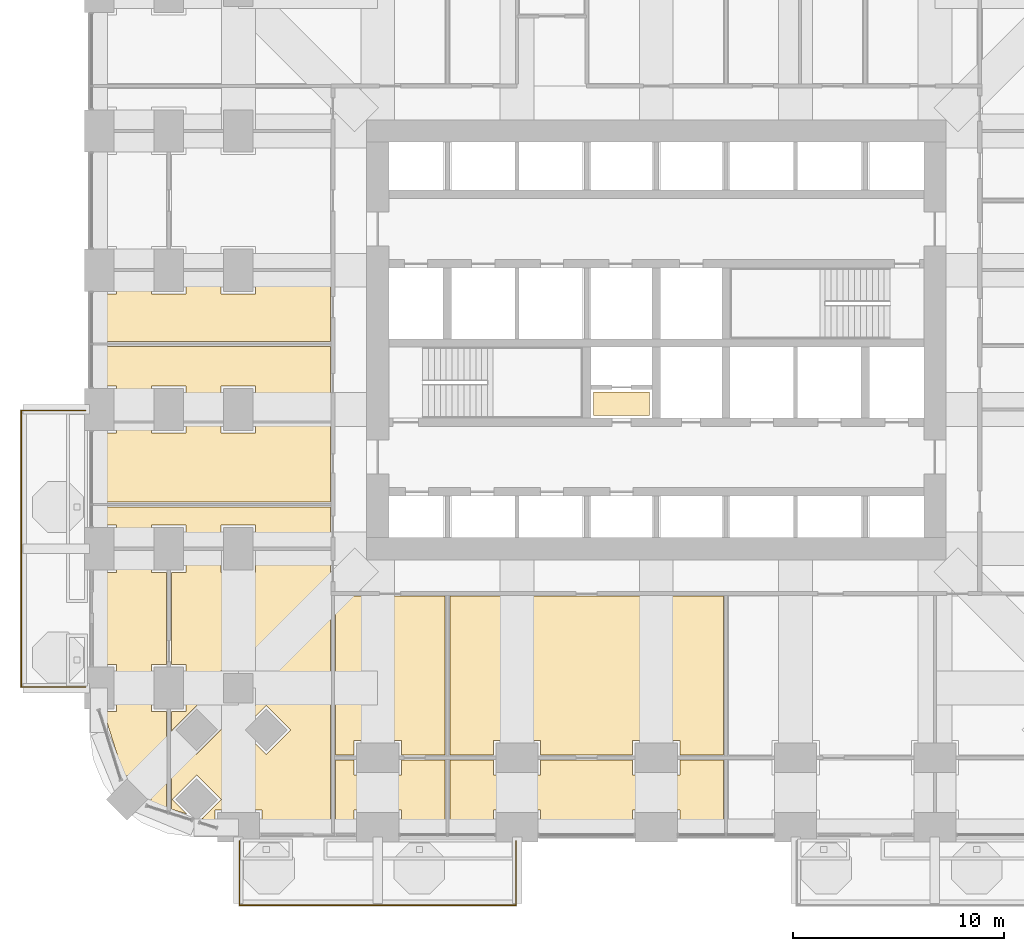
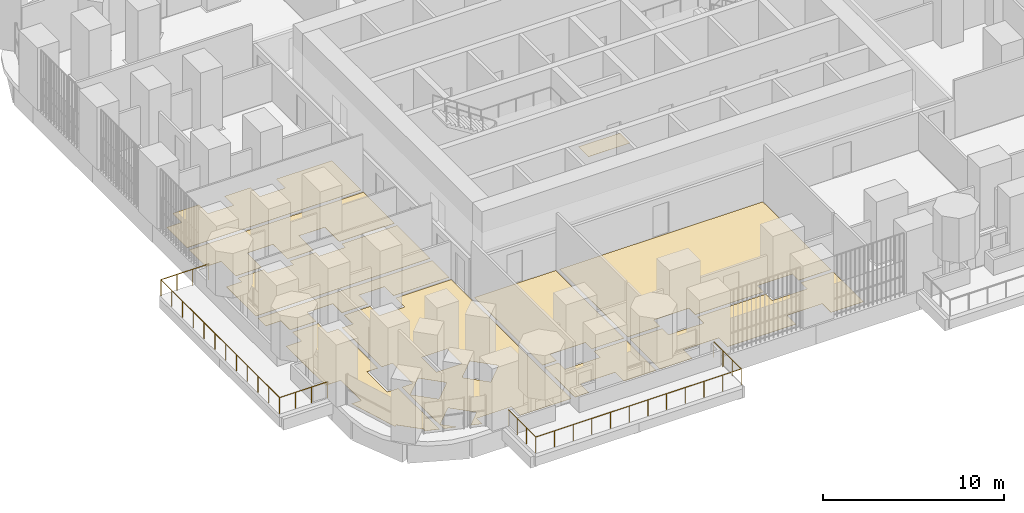
# One storey, part 22 of 27: 11 coverings, 2 railings.
"""IFC4 building model written with IfcOpenShell, lengths in metres."""

from ifc_helpers import new_model, si_unit, direction, frame, origin, place, context, subcontext, project, spatial, polyline, outline, extrude, material, layer, layer_set, type_object, element, save


model = new_model("IFC4")

# Units and contexts
model_context = context("Model", 3, precision=1e-05, world=origin(), true_north=direction((0.0, 1.0)))
body_context = subcontext(model_context, "Body", "Model", "MODEL_VIEW")
ifc_project = project(units=[si_unit("LENGTHUNIT", "METRE"), si_unit("AREAUNIT", "SQUARE_METRE"), si_unit("VOLUMEUNIT", "CUBIC_METRE"), si_unit("PLANEANGLEUNIT", "RADIAN"), si_unit("MASSUNIT", "GRAM", prefix="KILO")], contexts=[model_context])

# Site, building, storey
site_placement = place(None, origin())
site = spatial("IfcSite", under=ifc_project, at=site_placement, CompositionType="ELEMENT")
building_placement = place(site_placement, origin())
building = spatial("IfcBuilding", under=site, at=building_placement, Name="Cobogo Forest Laboratory Tower", CompositionType="ELEMENT")
storey_placement = place(building_placement, frame((0.0, 0.0, 71.699951171875)))
storey = spatial("IfcBuildingStorey", under=building, at=storey_placement, Name="L16", CompositionType="ELEMENT", Elevation=71.699951171875)

# Railings
ifc_material_1 = material(Name="Laminated glass balustrade", Category="glass")
railing_type = type_object("IfcRailingType", Name="BG1 glass balustrade 1100", PredefinedType="GUARDRAIL", material=ifc_material_1)
railing_1_placement = place(storey_placement, frame((6.64990234375, -0.64990234375, 0.0)))
element("IfcRailing", 1, at=railing_1_placement, inside=storey, type_object=railing_type, Name="Balcony balustrade BAL-S1 L16", PredefinedType="GUARDRAIL", context=body_context, shape_type="SweptSolid", body=[
    extrude(outline(polyline([(0.022216796875, 0.00927734375), (0.00927734375, 0.022216796875), (-0.00927734375, 0.022216796875), (-0.022216796875, 0.00927734375), (-0.022216796875, -0.00927734375), (-0.00927734375, -0.022216796875), (0.00927734375, -0.022216796875), (0.022216796875, -0.00927734375), (0.022216796875, 0.00927734375)])), frame((0.0, 0.0, 1.077880859375), z_axis=(0.0, -1.0, 0.0), x_axis=(1.0, 0.0, 0.0)), (0.0, 0.0, 1.0), 3.050048828125),
    extrude(outline(polyline([(0.022216796875, 0.00927734375), (0.00927734375, 0.022216796875), (-0.00927734375, 0.022216796875), (-0.022216796875, 0.00927734375), (-0.022216796875, -0.00927734375), (-0.00927734375, -0.022216796875), (0.00927734375, -0.022216796875), (0.022216796875, -0.00927734375), (0.022216796875, 0.00927734375)])), frame((0.0, -3.050048828125, 1.077880859375), z_axis=(1.0, 0.0, 0.0), x_axis=(0.0, 1.0, 0.0)), (0.0, 0.0, 1.0), 13.10009765625),
    extrude(outline(polyline([(0.022216796875, 0.00927734375), (0.00927734375, 0.022216796875), (-0.00927734375, 0.022216796875), (-0.022216796875, 0.00927734375), (-0.022216796875, -0.00927734375), (-0.00927734375, -0.022216796875), (0.00927734375, -0.022216796875), (0.022216796875, -0.00927734375), (0.022216796875, 0.00927734375)])), frame((13.10009765625, -3.050048828125, 1.077880859375), z_axis=(0.0, 1.0, 0.0), x_axis=(-1.0, 0.0, 0.0)), (0.0, 0.0, 1.0), 3.050048828125),
    extrude(outline(polyline([(0.019287109375, 0.008056640625), (0.008056640625, 0.019287109375), (-0.008056640625, 0.019287109375), (-0.019287109375, 0.008056640625), (-0.019287109375, -0.008056640625), (-0.008056640625, -0.019287109375), (0.008056640625, -0.019287109375), (0.019287109375, -0.008056640625), (0.019287109375, 0.008056640625)])), origin(), (0.0, 0.0, 1.0), 1.077880859375),
    extrude(outline(polyline([(0.019287109375, 0.008056640625), (0.008056640625, 0.019287109375), (-0.008056640625, 0.019287109375), (-0.019287109375, 0.008056640625), (-0.019287109375, -0.008056640625), (-0.008056640625, -0.019287109375), (0.008056640625, -0.019287109375), (0.019287109375, -0.008056640625), (0.019287109375, 0.008056640625)])), frame((0.0, -1.0166015625, 0.0)), (0.0, 0.0, 1.0), 1.077880859375),
    extrude(outline(polyline([(0.019287109375, 0.008056640625), (0.008056640625, 0.019287109375), (-0.008056640625, 0.019287109375), (-0.019287109375, 0.008056640625), (-0.019287109375, -0.008056640625), (-0.008056640625, -0.019287109375), (0.008056640625, -0.019287109375), (0.019287109375, -0.008056640625), (0.019287109375, 0.008056640625)])), frame((0.0, -2.033447265625, 0.0)), (0.0, 0.0, 1.0), 1.077880859375),
    extrude(outline(polyline([(0.019287109375, 0.008056640625), (0.008056640625, 0.019287109375), (-0.008056640625, 0.019287109375), (-0.019287109375, 0.008056640625), (-0.019287109375, -0.008056640625), (-0.008056640625, -0.019287109375), (0.008056640625, -0.019287109375), (0.019287109375, -0.008056640625), (0.019287109375, 0.008056640625)])), frame((0.0, -3.050048828125, 0.0)), (0.0, 0.0, 1.0), 1.077880859375),
    extrude(outline(polyline([(0.019287109375, 0.008056640625), (0.008056640625, 0.019287109375), (-0.008056640625, 0.019287109375), (-0.019287109375, 0.008056640625), (-0.019287109375, -0.008056640625), (-0.008056640625, -0.019287109375), (0.008056640625, -0.019287109375), (0.019287109375, -0.008056640625), (0.019287109375, 0.008056640625)])), frame((1.19091796875, -3.050048828125, 0.0)), (0.0, 0.0, 1.0), 1.077880859375),
    extrude(outline(polyline([(0.019287109375, 0.008056640625), (0.008056640625, 0.019287109375), (-0.008056640625, 0.019287109375), (-0.019287109375, 0.008056640625), (-0.019287109375, -0.008056640625), (-0.008056640625, -0.019287109375), (0.008056640625, -0.019287109375), (0.019287109375, -0.008056640625), (0.019287109375, 0.008056640625)])), frame((2.3818359375, -3.050048828125, 0.0)), (0.0, 0.0, 1.0), 1.077880859375),
    extrude(outline(polyline([(0.019287109375, 0.008056640625), (0.008056640625, 0.019287109375), (-0.008056640625, 0.019287109375), (-0.019287109375, 0.008056640625), (-0.019287109375, -0.008056640625), (-0.008056640625, -0.019287109375), (0.008056640625, -0.019287109375), (0.019287109375, -0.008056640625), (0.019287109375, 0.008056640625)])), frame((3.57275390625, -3.050048828125, 0.0)), (0.0, 0.0, 1.0), 1.077880859375),
    extrude(outline(polyline([(0.019287109375, 0.008056640625), (0.008056640625, 0.019287109375), (-0.008056640625, 0.019287109375), (-0.019287109375, 0.008056640625), (-0.019287109375, -0.008056640625), (-0.008056640625, -0.019287109375), (0.008056640625, -0.019287109375), (0.019287109375, -0.008056640625), (0.019287109375, 0.008056640625)])), frame((4.763671875, -3.050048828125, 0.0)), (0.0, 0.0, 1.0), 1.077880859375),
    extrude(outline(polyline([(0.019287109375, 0.008056640625), (0.008056640625, 0.019287109375), (-0.008056640625, 0.019287109375), (-0.019287109375, 0.008056640625), (-0.019287109375, -0.008056640625), (-0.008056640625, -0.019287109375), (0.008056640625, -0.019287109375), (0.019287109375, -0.008056640625), (0.019287109375, 0.008056640625)])), frame((5.95458984375, -3.050048828125, 0.0)), (0.0, 0.0, 1.0), 1.077880859375),
    extrude(outline(polyline([(0.019287109375, 0.008056640625), (0.008056640625, 0.019287109375), (-0.008056640625, 0.019287109375), (-0.019287109375, 0.008056640625), (-0.019287109375, -0.008056640625), (-0.008056640625, -0.019287109375), (0.008056640625, -0.019287109375), (0.019287109375, -0.008056640625), (0.019287109375, 0.008056640625)])), frame((7.1455078125, -3.050048828125, 0.0)), (0.0, 0.0, 1.0), 1.077880859375),
    extrude(outline(polyline([(0.019287109375, 0.008056640625), (0.008056640625, 0.019287109375), (-0.008056640625, 0.019287109375), (-0.019287109375, 0.008056640625), (-0.019287109375, -0.008056640625), (-0.008056640625, -0.019287109375), (0.008056640625, -0.019287109375), (0.019287109375, -0.008056640625), (0.019287109375, 0.008056640625)])), frame((8.33642578125, -3.050048828125, 0.0)), (0.0, 0.0, 1.0), 1.077880859375),
    extrude(outline(polyline([(0.019287109375, 0.008056640625), (0.008056640625, 0.019287109375), (-0.008056640625, 0.019287109375), (-0.019287109375, 0.008056640625), (-0.019287109375, -0.008056640625), (-0.008056640625, -0.019287109375), (0.008056640625, -0.019287109375), (0.019287109375, -0.008056640625), (0.019287109375, 0.008056640625)])), frame((9.52734375, -3.050048828125, 0.0)), (0.0, 0.0, 1.0), 1.077880859375),
    extrude(outline(polyline([(0.019287109375, 0.008056640625), (0.008056640625, 0.019287109375), (-0.008056640625, 0.019287109375), (-0.019287109375, 0.008056640625), (-0.019287109375, -0.008056640625), (-0.008056640625, -0.019287109375), (0.008056640625, -0.019287109375), (0.019287109375, -0.008056640625), (0.019287109375, 0.008056640625)])), frame((10.71826171875, -3.050048828125, 0.0)), (0.0, 0.0, 1.0), 1.077880859375),
    extrude(outline(polyline([(0.019287109375, 0.008056640625), (0.008056640625, 0.019287109375), (-0.008056640625, 0.019287109375), (-0.019287109375, 0.008056640625), (-0.019287109375, -0.008056640625), (-0.008056640625, -0.019287109375), (0.008056640625, -0.019287109375), (0.019287109375, -0.008056640625), (0.019287109375, 0.008056640625)])), frame((11.9091796875, -3.050048828125, 0.0)), (0.0, 0.0, 1.0), 1.077880859375),
    extrude(outline(polyline([(0.019287109375, 0.008056640625), (0.008056640625, 0.019287109375), (-0.008056640625, 0.019287109375), (-0.019287109375, 0.008056640625), (-0.019287109375, -0.008056640625), (-0.008056640625, -0.019287109375), (0.008056640625, -0.019287109375), (0.019287109375, -0.008056640625), (0.019287109375, 0.008056640625)])), frame((13.10009765625, -3.050048828125, 0.0)), (0.0, 0.0, 1.0), 1.077880859375),
    extrude(outline(polyline([(0.019287109375, 0.008056640625), (0.008056640625, 0.019287109375), (-0.008056640625, 0.019287109375), (-0.019287109375, 0.008056640625), (-0.019287109375, -0.008056640625), (-0.008056640625, -0.019287109375), (0.008056640625, -0.019287109375), (0.019287109375, -0.008056640625), (0.019287109375, 0.008056640625)])), frame((13.10009765625, -2.033447265625, 0.0)), (0.0, 0.0, 1.0), 1.077880859375),
    extrude(outline(polyline([(0.019287109375, 0.008056640625), (0.008056640625, 0.019287109375), (-0.008056640625, 0.019287109375), (-0.019287109375, 0.008056640625), (-0.019287109375, -0.008056640625), (-0.008056640625, -0.019287109375), (0.008056640625, -0.019287109375), (0.019287109375, -0.008056640625), (0.019287109375, 0.008056640625)])), frame((13.10009765625, -1.0166015625, 0.0)), (0.0, 0.0, 1.0), 1.077880859375),
    extrude(outline(polyline([(0.019287109375, 0.008056640625), (0.008056640625, 0.019287109375), (-0.008056640625, 0.019287109375), (-0.019287109375, 0.008056640625), (-0.019287109375, -0.008056640625), (-0.008056640625, -0.019287109375), (0.008056640625, -0.019287109375), (0.019287109375, -0.008056640625), (0.019287109375, 0.008056640625)])), frame((13.10009765625, 0.0, 0.0)), (0.0, 0.0, 1.0), 1.077880859375),
])
railing_2_placement = place(storey_placement, frame((-0.64990234375, 6.64990234375, 0.0)))
element("IfcRailing", 2, at=railing_2_placement, inside=storey, type_object=railing_type, Name="Balcony balustrade BAL-W1 L16", PredefinedType="GUARDRAIL", context=body_context, shape_type="SweptSolid", body=[
    extrude(outline(polyline([(0.022216796875, 0.00927734375), (0.00927734375, 0.022216796875), (-0.00927734375, 0.022216796875), (-0.022216796875, 0.00927734375), (-0.022216796875, -0.00927734375), (-0.00927734375, -0.022216796875), (0.00927734375, -0.022216796875), (0.022216796875, -0.00927734375), (0.022216796875, 0.00927734375)])), frame((0.0, 0.0, 1.077880859375), z_axis=(-1.0, 0.0, 0.0), x_axis=(0.0, -1.0, 0.0)), (0.0, 0.0, 1.0), 3.050048828125),
    extrude(outline(polyline([(0.022216796875, 0.00927734375), (0.00927734375, 0.022216796875), (-0.00927734375, 0.022216796875), (-0.022216796875, 0.00927734375), (-0.022216796875, -0.00927734375), (-0.00927734375, -0.022216796875), (0.00927734375, -0.022216796875), (0.022216796875, -0.00927734375), (0.022216796875, 0.00927734375)])), frame((-3.050048828125, 0.0, 1.077880859375), z_axis=(0.0, 1.0, 0.0), x_axis=(-1.0, 0.0, 0.0)), (0.0, 0.0, 1.0), 13.10009765625),
    extrude(outline(polyline([(0.022216796875, 0.00927734375), (0.00927734375, 0.022216796875), (-0.00927734375, 0.022216796875), (-0.022216796875, 0.00927734375), (-0.022216796875, -0.00927734375), (-0.00927734375, -0.022216796875), (0.00927734375, -0.022216796875), (0.022216796875, -0.00927734375), (0.022216796875, 0.00927734375)])), frame((-3.050048828125, 13.10009765625, 1.077880859375), z_axis=(1.0, 0.0, 0.0), x_axis=(0.0, 1.0, 0.0)), (0.0, 0.0, 1.0), 3.050048828125),
    extrude(outline(polyline([(0.019287109375, 0.008056640625), (0.008056640625, 0.019287109375), (-0.008056640625, 0.019287109375), (-0.019287109375, 0.008056640625), (-0.019287109375, -0.008056640625), (-0.008056640625, -0.019287109375), (0.008056640625, -0.019287109375), (0.019287109375, -0.008056640625), (0.019287109375, 0.008056640625)])), origin(), (0.0, 0.0, 1.0), 1.077880859375),
    extrude(outline(polyline([(0.019287109375, 0.008056640625), (0.008056640625, 0.019287109375), (-0.008056640625, 0.019287109375), (-0.019287109375, 0.008056640625), (-0.019287109375, -0.008056640625), (-0.008056640625, -0.019287109375), (0.008056640625, -0.019287109375), (0.019287109375, -0.008056640625), (0.019287109375, 0.008056640625)])), frame((-1.0166015625, 0.0, 0.0)), (0.0, 0.0, 1.0), 1.077880859375),
    extrude(outline(polyline([(0.019287109375, 0.008056640625), (0.008056640625, 0.019287109375), (-0.008056640625, 0.019287109375), (-0.019287109375, 0.008056640625), (-0.019287109375, -0.008056640625), (-0.008056640625, -0.019287109375), (0.008056640625, -0.019287109375), (0.019287109375, -0.008056640625), (0.019287109375, 0.008056640625)])), frame((-2.033447265625, 0.0, 0.0)), (0.0, 0.0, 1.0), 1.077880859375),
    extrude(outline(polyline([(0.019287109375, 0.008056640625), (0.008056640625, 0.019287109375), (-0.008056640625, 0.019287109375), (-0.019287109375, 0.008056640625), (-0.019287109375, -0.008056640625), (-0.008056640625, -0.019287109375), (0.008056640625, -0.019287109375), (0.019287109375, -0.008056640625), (0.019287109375, 0.008056640625)])), frame((-3.050048828125, 0.0, 0.0)), (0.0, 0.0, 1.0), 1.077880859375),
    extrude(outline(polyline([(0.019287109375, 0.008056640625), (0.008056640625, 0.019287109375), (-0.008056640625, 0.019287109375), (-0.019287109375, 0.008056640625), (-0.019287109375, -0.008056640625), (-0.008056640625, -0.019287109375), (0.008056640625, -0.019287109375), (0.019287109375, -0.008056640625), (0.019287109375, 0.008056640625)])), frame((-3.050048828125, 1.19091796875, 0.0)), (0.0, 0.0, 1.0), 1.077880859375),
    extrude(outline(polyline([(0.019287109375, 0.008056640625), (0.008056640625, 0.019287109375), (-0.008056640625, 0.019287109375), (-0.019287109375, 0.008056640625), (-0.019287109375, -0.008056640625), (-0.008056640625, -0.019287109375), (0.008056640625, -0.019287109375), (0.019287109375, -0.008056640625), (0.019287109375, 0.008056640625)])), frame((-3.050048828125, 2.3818359375, 0.0)), (0.0, 0.0, 1.0), 1.077880859375),
    extrude(outline(polyline([(0.019287109375, 0.008056640625), (0.008056640625, 0.019287109375), (-0.008056640625, 0.019287109375), (-0.019287109375, 0.008056640625), (-0.019287109375, -0.008056640625), (-0.008056640625, -0.019287109375), (0.008056640625, -0.019287109375), (0.019287109375, -0.008056640625), (0.019287109375, 0.008056640625)])), frame((-3.050048828125, 3.57275390625, 0.0)), (0.0, 0.0, 1.0), 1.077880859375),
    extrude(outline(polyline([(0.019287109375, 0.008056640625), (0.008056640625, 0.019287109375), (-0.008056640625, 0.019287109375), (-0.019287109375, 0.008056640625), (-0.019287109375, -0.008056640625), (-0.008056640625, -0.019287109375), (0.008056640625, -0.019287109375), (0.019287109375, -0.008056640625), (0.019287109375, 0.008056640625)])), frame((-3.050048828125, 4.763671875, 0.0)), (0.0, 0.0, 1.0), 1.077880859375),
    extrude(outline(polyline([(0.019287109375, 0.008056640625), (0.008056640625, 0.019287109375), (-0.008056640625, 0.019287109375), (-0.019287109375, 0.008056640625), (-0.019287109375, -0.008056640625), (-0.008056640625, -0.019287109375), (0.008056640625, -0.019287109375), (0.019287109375, -0.008056640625), (0.019287109375, 0.008056640625)])), frame((-3.050048828125, 5.95458984375, 0.0)), (0.0, 0.0, 1.0), 1.077880859375),
    extrude(outline(polyline([(0.019287109375, 0.008056640625), (0.008056640625, 0.019287109375), (-0.008056640625, 0.019287109375), (-0.019287109375, 0.008056640625), (-0.019287109375, -0.008056640625), (-0.008056640625, -0.019287109375), (0.008056640625, -0.019287109375), (0.019287109375, -0.008056640625), (0.019287109375, 0.008056640625)])), frame((-3.050048828125, 7.1455078125, 0.0)), (0.0, 0.0, 1.0), 1.077880859375),
    extrude(outline(polyline([(0.019287109375, 0.008056640625), (0.008056640625, 0.019287109375), (-0.008056640625, 0.019287109375), (-0.019287109375, 0.008056640625), (-0.019287109375, -0.008056640625), (-0.008056640625, -0.019287109375), (0.008056640625, -0.019287109375), (0.019287109375, -0.008056640625), (0.019287109375, 0.008056640625)])), frame((-3.050048828125, 8.33642578125, 0.0)), (0.0, 0.0, 1.0), 1.077880859375),
    extrude(outline(polyline([(0.019287109375, 0.008056640625), (0.008056640625, 0.019287109375), (-0.008056640625, 0.019287109375), (-0.019287109375, 0.008056640625), (-0.019287109375, -0.008056640625), (-0.008056640625, -0.019287109375), (0.008056640625, -0.019287109375), (0.019287109375, -0.008056640625), (0.019287109375, 0.008056640625)])), frame((-3.050048828125, 9.52734375, 0.0)), (0.0, 0.0, 1.0), 1.077880859375),
    extrude(outline(polyline([(0.019287109375, 0.008056640625), (0.008056640625, 0.019287109375), (-0.008056640625, 0.019287109375), (-0.019287109375, 0.008056640625), (-0.019287109375, -0.008056640625), (-0.008056640625, -0.019287109375), (0.008056640625, -0.019287109375), (0.019287109375, -0.008056640625), (0.019287109375, 0.008056640625)])), frame((-3.050048828125, 10.71826171875, 0.0)), (0.0, 0.0, 1.0), 1.077880859375),
    extrude(outline(polyline([(0.019287109375, 0.008056640625), (0.008056640625, 0.019287109375), (-0.008056640625, 0.019287109375), (-0.019287109375, 0.008056640625), (-0.019287109375, -0.008056640625), (-0.008056640625, -0.019287109375), (0.008056640625, -0.019287109375), (0.019287109375, -0.008056640625), (0.019287109375, 0.008056640625)])), frame((-3.050048828125, 11.9091796875, 0.0)), (0.0, 0.0, 1.0), 1.077880859375),
    extrude(outline(polyline([(0.019287109375, 0.008056640625), (0.008056640625, 0.019287109375), (-0.008056640625, 0.019287109375), (-0.019287109375, 0.008056640625), (-0.019287109375, -0.008056640625), (-0.008056640625, -0.019287109375), (0.008056640625, -0.019287109375), (0.019287109375, -0.008056640625), (0.019287109375, 0.008056640625)])), frame((-3.050048828125, 13.10009765625, 0.0)), (0.0, 0.0, 1.0), 1.077880859375),
    extrude(outline(polyline([(0.019287109375, 0.008056640625), (0.008056640625, 0.019287109375), (-0.008056640625, 0.019287109375), (-0.019287109375, 0.008056640625), (-0.019287109375, -0.008056640625), (-0.008056640625, -0.019287109375), (0.008056640625, -0.019287109375), (0.019287109375, -0.008056640625), (0.019287109375, 0.008056640625)])), frame((-2.033447265625, 13.10009765625, 0.0)), (0.0, 0.0, 1.0), 1.077880859375),
    extrude(outline(polyline([(0.019287109375, 0.008056640625), (0.008056640625, 0.019287109375), (-0.008056640625, 0.019287109375), (-0.019287109375, 0.008056640625), (-0.019287109375, -0.008056640625), (-0.008056640625, -0.019287109375), (0.008056640625, -0.019287109375), (0.019287109375, -0.008056640625), (0.019287109375, 0.008056640625)])), frame((-1.0166015625, 13.10009765625, 0.0)), (0.0, 0.0, 1.0), 1.077880859375),
    extrude(outline(polyline([(0.019287109375, 0.008056640625), (0.008056640625, 0.019287109375), (-0.008056640625, 0.019287109375), (-0.019287109375, 0.008056640625), (-0.019287109375, -0.008056640625), (-0.008056640625, -0.019287109375), (0.008056640625, -0.019287109375), (0.019287109375, -0.008056640625), (0.019287109375, 0.008056640625)])), frame((0.0, 13.10009765625, 0.0)), (0.0, 0.0, 1.0), 1.077880859375),
])

# Coverings
ifc_material_2 = material(Name="Carpet tile on raised access floor", Category="flooring")
ifc_layer_1 = layer(ifc_material_2, 0.008056640625)
ifc_layer_set_1 = layer_set([ifc_layer_1], Name="CT1 carpet tile floor 8")
covering_type_1 = type_object("IfcCoveringType", Name="CT1 carpet tile floor 8", PredefinedType="FLOORING", material=ifc_layer_set_1)
covering_1_placement = place(storey_placement, origin())
element("IfcCovering", 3, at=covering_1_placement, inside=storey, type_object=covering_type_1, Name="Carpet floor L16-02", PredefinedType="FLOORING", context=body_context, shape_type="SweptSolid", body=[
    extrude(outline(polyline([(12.080078125, 3.179931640625), (12.080078125, 2.47998046875), (14.320068359375, 2.47998046875), (14.320068359375, 3.179931640625), (16.3798828125, 3.179931640625), (16.3798828125, -0.14990234375), (14.320068359375, -0.14990234375), (14.320068359375, 0.820068359375), (12.080078125, 0.820068359375), (12.080078125, -0.14990234375), (11.195068359375, -0.14990234375), (11.195068359375, 3.179931640625), (12.080078125, 3.179931640625)])), origin(), (0.0, 0.0, 1.0), 0.008056640625),
])
covering_2_placement = place(storey_placement, origin())
element("IfcCovering", 4, at=covering_2_placement, inside=storey, type_object=covering_type_1, Name="Carpet floor L16-03", PredefinedType="FLOORING", context=body_context, shape_type="SweptSolid", body=[
    extrude(outline(polyline([(16.6201171875, 10.955078125), (29.580078125, 10.955078125), (29.580078125, 3.419921875), (27.52001953125, 3.419921875), (27.52001953125, 4.1201171875), (25.280029296875, 4.1201171875), (25.280029296875, 3.419921875), (20.919921875, 3.419921875), (20.919921875, 4.1201171875), (18.679931640625, 4.1201171875), (18.679931640625, 3.419921875), (16.6201171875, 3.419921875), (16.6201171875, 10.955078125)])), origin(), (0.0, 0.0, 1.0), 0.008056640625),
])
covering_3_placement = place(storey_placement, origin())
element("IfcCovering", 5, at=covering_3_placement, inside=storey, type_object=covering_type_1, Name="Carpet floor L16-04", PredefinedType="FLOORING", context=body_context, shape_type="SweptSolid", body=[
    extrude(outline(polyline([(18.679931640625, 3.179931640625), (18.679931640625, 2.47998046875), (20.919921875, 2.47998046875), (20.919921875, 3.179931640625), (25.280029296875, 3.179931640625), (25.280029296875, 2.47998046875), (27.52001953125, 2.47998046875), (27.52001953125, 3.179931640625), (29.580078125, 3.179931640625), (29.580078125, -0.14990234375), (27.52001953125, -0.14990234375), (27.52001953125, 0.820068359375), (25.280029296875, 0.820068359375), (25.280029296875, -0.14990234375), (20.919921875, -0.14990234375), (20.919921875, 0.820068359375), (18.679931640625, 0.820068359375), (18.679931640625, -0.14990234375), (16.6201171875, -0.14990234375), (16.6201171875, 3.179931640625), (18.679931640625, 3.179931640625)])), origin(), (0.0, 0.0, 1.0), 0.008056640625),
])
covering_4_placement = place(storey_placement, origin())
element("IfcCovering", 6, at=covering_4_placement, inside=storey, type_object=covering_type_1, Name="Carpet floor L16-32", PredefinedType="FLOORING", context=body_context, shape_type="SweptSolid", body=[
    extrude(outline(polyline([(3.179931640625, 7.719970703125), (2.47998046875, 7.719970703125), (2.47998046875, 5.47998046875), (3.179931640625, 5.47998046875), (3.179931640625, 0.939697265625), (2.358642578125, 1.19921875), (2.477783203125, 1.318115234375), (1.318115234375, 2.477783203125), (1.19921875, 2.358642578125), (0.21337890625, 5.47998046875), (0.820068359375, 5.47998046875), (0.820068359375, 7.719970703125), (-0.14990234375, 7.719970703125), (-0.14990234375, 12.080078125), (0.820068359375, 12.080078125), (0.820068359375, 13.080078125), (2.47998046875, 13.080078125), (2.47998046875, 12.080078125), (3.179931640625, 12.080078125), (3.179931640625, 7.719970703125)])), origin(), (0.0, 0.0, 1.0), 0.008056640625),
])
covering_5_placement = place(storey_placement, origin())
element("IfcCovering", 7, at=covering_5_placement, inside=storey, type_object=covering_type_1, Name="Carpet floor L16-45", PredefinedType="FLOORING", context=body_context, shape_type="SweptSolid", body=[
    extrude(outline(polyline([(26.080078125, 19.52001953125), (23.419921875, 19.52001953125), (23.419921875, 20.6298828125), (26.080078125, 20.6298828125), (26.080078125, 19.52001953125)])), origin(), (0.0, 0.0, 1.0), 0.008056640625),
])
ifc_material_3 = material(Name="Epoxy resin flooring", Category="flooring")
ifc_layer_2 = layer(ifc_material_3, 0.00390625)
ifc_layer_set_2 = layer_set([ifc_layer_2], Name="LF1 epoxy laboratory floor 4")
covering_type_2 = type_object("IfcCoveringType", Name="LF1 epoxy laboratory floor 4", PredefinedType="FLOORING", material=ifc_layer_set_2)
covering_6_placement = place(storey_placement, origin())
element("IfcCovering", 8, at=covering_6_placement, inside=storey, type_object=covering_type_2, Name="Epoxy laboratory floor L16-01", PredefinedType="FLOORING", context=body_context, shape_type="SweptSolid", body=[
    extrude(outline(polyline([(11.195068359375, 10.955078125), (16.3798828125, 10.955078125), (16.3798828125, 3.419921875), (14.320068359375, 3.419921875), (14.320068359375, 4.1201171875), (12.080078125, 4.1201171875), (12.080078125, 3.419921875), (11.195068359375, 3.419921875), (11.195068359375, 10.955078125)])), origin(), (0.0, 0.0, 1.0), 0.004150390625),
])
covering_7_placement = place(storey_placement, origin())
element("IfcCovering", 9, at=covering_7_placement, inside=storey, type_object=covering_type_2, Name="Epoxy laboratory floor L16-31", PredefinedType="FLOORING", context=body_context, shape_type="SweptSolid", body=[
    extrude(outline(polyline([(5.780029296875, 13.080078125), (5.780029296875, 12.080078125), (7.419921875, 12.080078125), (7.419921875, 13.080078125), (10.955078125, 13.080078125), (10.955078125, -0.14990234375), (7.719970703125, -0.14990234375), (7.719970703125, 0.820068359375), (5.47998046875, 0.820068359375), (5.47998046875, 0.21337890625), (4.86669921875, 0.406982421875), (5.777587890625, 1.318115234375), (4.617919921875, 2.477783203125), (3.458251953125, 1.318115234375), (4.1396484375, 0.63671875), (3.419921875, 0.864013671875), (3.419921875, 5.47998046875), (4.1201171875, 5.47998046875), (4.1201171875, 7.719970703125), (3.419921875, 7.719970703125), (3.419921875, 12.080078125), (4.1201171875, 12.080078125), (4.1201171875, 13.080078125), (5.780029296875, 13.080078125)]), holes=[polyline([(7.91796875, 5.777587890625), (6.75830078125, 4.617919921875), (7.91796875, 3.458251953125), (9.07763671875, 4.617919921875), (7.91796875, 5.777587890625)]), polyline([(5.780029296875, 7.419921875), (5.780029296875, 5.780029296875), (7.419921875, 5.780029296875), (7.419921875, 7.419921875), (5.780029296875, 7.419921875)]), polyline([(3.458251953125, 4.617919921875), (4.617919921875, 3.458251953125), (5.777587890625, 4.617919921875), (4.617919921875, 5.777587890625), (3.458251953125, 4.617919921875)])]), origin(), (0.0, 0.0, 1.0), 0.004150390625),
])
ifc_material_4 = material(Name="Ceramic floor tile", Category="flooring")
ifc_layer_3 = layer(ifc_material_4, 0.010009765625)
ifc_layer_set_3 = layer_set([ifc_layer_3], Name="TF1 ceramic tile floor 10")
covering_type_3 = type_object("IfcCoveringType", Name="TF1 ceramic tile floor 10", PredefinedType="FLOORING", material=ifc_layer_set_3)
covering_8_placement = place(storey_placement, origin())
element("IfcCovering", 10, at=covering_8_placement, inside=storey, type_object=covering_type_3, Name="Tile floor L16-33", PredefinedType="FLOORING", context=body_context, shape_type="SweptSolid", body=[
    extrude(outline(polyline([(10.955078125, 13.320068359375), (7.419921875, 13.320068359375), (7.419921875, 14.320068359375), (5.780029296875, 14.320068359375), (5.780029296875, 13.320068359375), (4.1201171875, 13.320068359375), (4.1201171875, 14.320068359375), (2.47998046875, 14.320068359375), (2.47998046875, 13.320068359375), (0.820068359375, 13.320068359375), (0.820068359375, 14.320068359375), (-0.14990234375, 14.320068359375), (-0.14990234375, 15.179931640625), (10.955078125, 15.179931640625), (10.955078125, 13.320068359375)])), origin(), (0.0, 0.0, 1.0), 0.010009765625),
])
covering_9_placement = place(storey_placement, origin())
element("IfcCovering", 11, at=covering_9_placement, inside=storey, type_object=covering_type_3, Name="Tile floor L16-34", PredefinedType="FLOORING", context=body_context, shape_type="SweptSolid", body=[
    extrude(outline(polyline([(10.955078125, 15.419921875), (-0.14990234375, 15.419921875), (-0.14990234375, 18.679931640625), (0.820068359375, 18.679931640625), (0.820068359375, 19.080078125), (2.47998046875, 19.080078125), (2.47998046875, 18.679931640625), (4.1201171875, 18.679931640625), (4.1201171875, 19.080078125), (5.780029296875, 19.080078125), (5.780029296875, 18.679931640625), (7.419921875, 18.679931640625), (7.419921875, 19.080078125), (10.955078125, 19.080078125), (10.955078125, 15.419921875)])), origin(), (0.0, 0.0, 1.0), 0.010009765625),
])
covering_10_placement = place(storey_placement, origin())
element("IfcCovering", 12, at=covering_10_placement, inside=storey, type_object=covering_type_3, Name="Tile floor L16-35", PredefinedType="FLOORING", context=body_context, shape_type="SweptSolid", body=[
    extrude(outline(polyline([(10.955078125, 19.320068359375), (7.419921875, 19.320068359375), (7.419921875, 20.919921875), (5.780029296875, 20.919921875), (5.780029296875, 19.320068359375), (4.1201171875, 19.320068359375), (4.1201171875, 20.919921875), (2.47998046875, 20.919921875), (2.47998046875, 19.320068359375), (0.820068359375, 19.320068359375), (0.820068359375, 20.919921875), (-0.14990234375, 20.919921875), (-0.14990234375, 22.780029296875), (10.955078125, 22.780029296875), (10.955078125, 19.320068359375)])), origin(), (0.0, 0.0, 1.0), 0.010009765625),
])
covering_11_placement = place(storey_placement, origin())
element("IfcCovering", 13, at=covering_11_placement, inside=storey, type_object=covering_type_3, Name="Tile floor L16-36", PredefinedType="FLOORING", context=body_context, shape_type="SweptSolid", body=[
    extrude(outline(polyline([(10.955078125, 23.02001953125), (-0.14990234375, 23.02001953125), (-0.14990234375, 25.280029296875), (0.820068359375, 25.280029296875), (0.820068359375, 26.280029296875), (2.47998046875, 26.280029296875), (2.47998046875, 25.280029296875), (4.1201171875, 25.280029296875), (4.1201171875, 26.280029296875), (5.780029296875, 26.280029296875), (5.780029296875, 25.280029296875), (7.419921875, 25.280029296875), (7.419921875, 26.280029296875), (10.955078125, 26.280029296875), (10.955078125, 23.02001953125)])), origin(), (0.0, 0.0, 1.0), 0.010009765625),
])

save(model, "model.ifc")
